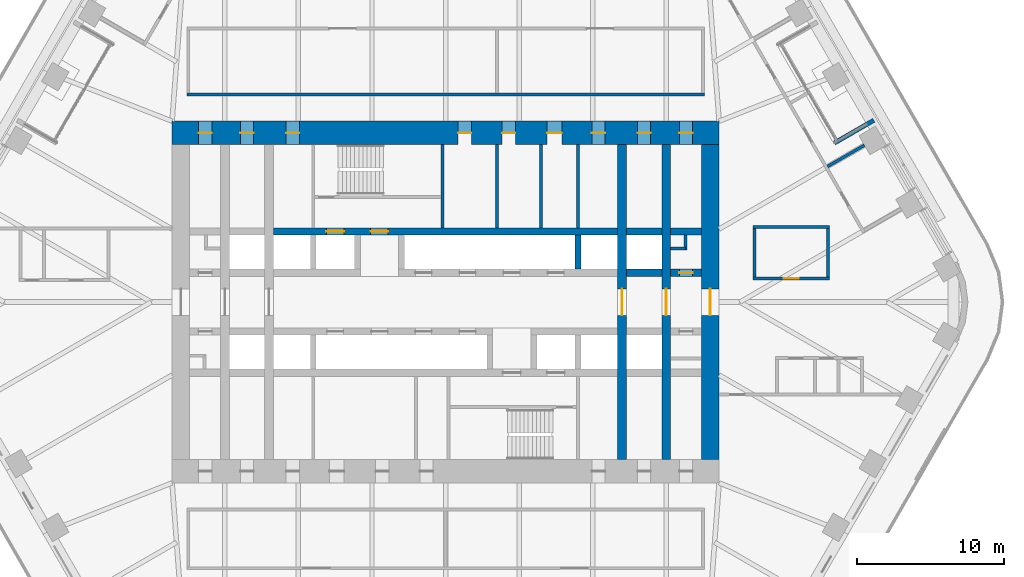
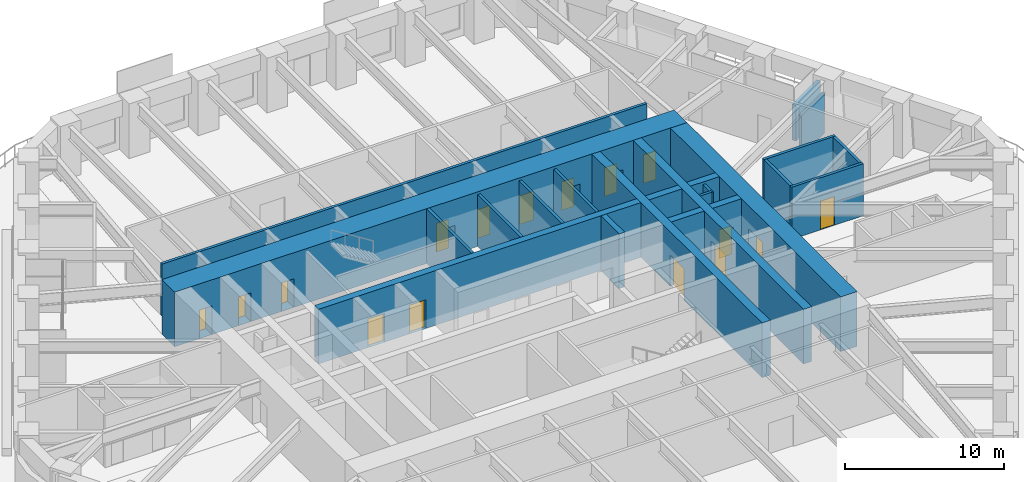
# One storey, part 20 of 24: 23 walls, 16 doors, 16 openings.
"""IFC4 building model written with IfcOpenShell, lengths in metres."""

import ifcopenshell
import ifcopenshell.guid

model = None  # the IFC model being written
_history = None  # IfcOwnerHistory: only IFC2X3 demands one
_inside = {}  # id of a spatial element -> (the spatial element, [elements in it])
_under = {}  # id of a project, library or spatial element -> (it, [spatial elements below it])
_declared = {}  # id of a project -> (the project, [libraries it declares])
_typed = {}  # id of a type object -> (the type object, [elements of that type])
_made_of = {}  # id of a material, layer set ... -> (it, [elements and type objects made of it])


def new_model(schema):
    """Start an empty IFC model of exactly this schema.

    Asked for "IFC4X3", IfcOpenShell would pick the latest addendum, in which some entities
    have other attributes; the version numbers below select the first issue.
    IFC2X3 requires an IfcOwnerHistory on every rooted entity: one is made here for all.
    """
    global model, _history
    if schema == "IFC4X3":
        model = ifcopenshell.file(schema_version=(4, 3, 0, 0))
    else:
        model = ifcopenshell.file(schema=schema)
    _inside.clear()
    _under.clear()
    _declared.clear()
    _typed.clear()
    _made_of.clear()
    _history = None
    if model.schema == "IFC2X3":
        org = make("IfcOrganization", Name="unknown")
        user = make(
            "IfcPersonAndOrganization",
            ThePerson=make("IfcPerson", FamilyName="unknown"),
            TheOrganization=org,
        )
        app = make(
            "IfcApplication",
            ApplicationDeveloper=org,
            Version="unknown",
            ApplicationFullName="unknown",
            ApplicationIdentifier="unknown",
        )
        _history = make(
            "IfcOwnerHistory",
            OwningUser=user,
            OwningApplication=app,
            ChangeAction="ADDED",
            CreationDate=0,
        )
    return model


def make(cls, **values):
    """One entity of the class cls with the attributes given. An attribute that is None is left unset."""
    return model.create_entity(
        cls, **{name: value for name, value in values.items() if value is not None}
    )


def rooted(cls, **values):
    """An entity with a GlobalId (a new one), such as an element, a storey or a relation."""
    return make(cls, GlobalId=ifcopenshell.guid.new(), OwnerHistory=_history, **values)


def si_unit(unit_type, name, prefix=None):
    """IfcSIUnit, for example si_unit("LENGTHUNIT", "METRE", prefix="MILLI")."""
    return make("IfcSIUnit", UnitType=unit_type, Prefix=prefix, Name=name)


def assignment(units):
    """IfcUnitAssignment: the units of a project."""
    return None if units is None else make("IfcUnitAssignment", Units=units)


def point(xyz):
    """IfcCartesianPoint."""
    return None if xyz is None else make("IfcCartesianPoint", Coordinates=xyz)


def direction(xyz):
    """IfcDirection."""
    return None if xyz is None else make("IfcDirection", DirectionRatios=xyz)


def frame(location, z_axis=None, x_axis=None):
    """IfcAxis2Placement3D, a coordinate frame: its origin and axes. An axis left out is left unset."""
    return make(
        "IfcAxis2Placement3D",
        Location=point(location),
        Axis=direction(z_axis),
        RefDirection=direction(x_axis),
    )


def frame_2d(location, x_axis=None):
    """IfcAxis2Placement2D, a coordinate frame in the plane: its origin and x axis."""
    return make(
        "IfcAxis2Placement2D", Location=point(location), RefDirection=direction(x_axis)
    )


def origin():
    """The frame at (0, 0, 0) with its axes left unset."""
    return frame((0.0, 0.0, 0.0))


def place(relative_to, where):
    """IfcLocalPlacement: puts the frame where relative to a parent placement (None: the world)."""
    return make(
        "IfcLocalPlacement", PlacementRelTo=relative_to, RelativePlacement=where
    )


def context(
    kind, dimensions, precision=None, world=None, true_north=None, identifier=None
):
    """IfcGeometricRepresentationContext, for example the 3D "Model" context."""
    return make(
        "IfcGeometricRepresentationContext",
        ContextIdentifier=identifier,
        ContextType=kind,
        CoordinateSpaceDimension=dimensions,
        Precision=precision,
        WorldCoordinateSystem=world,
        TrueNorth=true_north,
    )


def subcontext(parent, identifier, kind, view, scale=None):
    """IfcGeometricRepresentationSubContext, for example "Body" below "Model"."""
    return make(
        "IfcGeometricRepresentationSubContext",
        ContextIdentifier=identifier,
        ContextType=kind,
        ParentContext=parent,
        TargetScale=scale,
        TargetView=view,
    )


def project(units=None, contexts=None):
    """IfcProject with its units and contexts."""
    return rooted(
        "IfcProject",
        Name="project",
        RepresentationContexts=contexts,
        UnitsInContext=assignment(units),
    )


def spatial(cls, under=None, at=None, **own):
    """A site, building, storey or space (cls), placed at a placement, below another one or the project."""
    s = rooted(cls, ObjectPlacement=at, **own)
    if under is not None:
        _under.setdefault(under.id(), (under, []))[1].append(s)
    return s


def profile(cls, at=None, kind="AREA", **sizes):
    """A parametric profile (cls). Its sizes go by their IFC names, for example OverallWidth=200.0."""
    return make(cls, ProfileType=kind, Position=at, **sizes)


def rectangle(**sizes):
    """IfcRectangleProfileDef."""
    return profile("IfcRectangleProfileDef", **sizes)


def extrude(swept, where, along, depth):
    """IfcExtrudedAreaSolid: the profile swept, set in the frame where, extruded along a direction by depth."""
    return make(
        "IfcExtrudedAreaSolid",
        SweptArea=swept,
        Position=where,
        ExtrudedDirection=direction(along),
        Depth=depth,
    )


def shape(context_of_items, identifier, shape_type, items):
    """IfcShapeRepresentation: the items that make up one representation, for example the "Body"."""
    return make(
        "IfcShapeRepresentation",
        ContextOfItems=context_of_items,
        RepresentationIdentifier=identifier,
        RepresentationType=shape_type,
        Items=items,
    )


def material(Name=None, Category=None):
    """IfcMaterial."""
    return make("IfcMaterial", Name=Name, Category=Category)


def layer(
    of_material, thickness, ventilated=None, Name=None, Category=None, Priority=None
):
    """IfcMaterialLayer: one layer of a wall or slab, of a material (None: an air gap)."""
    return make(
        "IfcMaterialLayer",
        Material=of_material,
        LayerThickness=thickness,
        IsVentilated=ventilated,
        Name=Name,
        Category=Category,
        Priority=Priority,
    )


def layer_set(layers, Name=None):
    """IfcMaterialLayerSet."""
    return make("IfcMaterialLayerSet", MaterialLayers=layers, LayerSetName=Name)


def made_of(thing, what):
    """Note that an element or type object is made of a material, layer set ...; save() writes the relation."""
    if what is not None:
        _made_of.setdefault(what.id(), (what, []))[1].append(thing)
    return thing


def type_object(cls, material=None, **own):
    """A type object (cls), such as IfcWallType, which elements share."""
    return made_of(rooted(cls, **own), material)


def element(
    cls,
    number,
    at=None,
    inside=None,
    cuts=None,
    type_object=None,
    material=None,
    context=None,
    identifier="Body",
    shape_type=None,
    held_by="IfcProductDefinitionShape",
    body=None,
    shapes=None,
    **own,
):
    """One element of the class cls, such as IfcWall. Its Tag is "e" and its number.

    at: its placement. inside: the storey or other place that contains it. cuts: it is an
    opening in that element (IfcRelVoidsElement). A single representation is given by context,
    identifier, shape_type and body (its items); several are given by shapes. held_by: the class
    of the entity that holds the representations. save() writes the other relations.
    """
    e = rooted(cls, Tag="e%d" % number, ObjectPlacement=at, **own)
    if body is not None:
        shapes = [shape(context, identifier, shape_type, body)]
    if shapes is not None:
        e.Representation = make(held_by, Representations=shapes)
    if inside is not None:
        _inside.setdefault(inside.id(), (inside, []))[1].append(e)
    if cuts is not None:
        rooted(
            "IfcRelVoidsElement", RelatingBuildingElement=cuts, RelatedOpeningElement=e
        )
    if type_object is not None:
        _typed.setdefault(type_object.id(), (type_object, []))[1].append(e)
    return made_of(e, material)


def fill(opening, filler):
    """IfcRelFillsElement: the door or window that sits in an opening."""
    return rooted(
        "IfcRelFillsElement",
        RelatingOpeningElement=opening,
        RelatedBuildingElement=filler,
    )


def aggregate(whole, parts):
    """IfcRelAggregates: a whole, such as a stair, and the parts it consists of."""
    return rooted("IfcRelAggregates", RelatingObject=whole, RelatedObjects=parts)


def save(model, path):
    """Write the relations noted so far, then the file.

    IfcRelAggregates (storeys below a building ...), IfcRelContainedInSpatialStructure (elements
    in a storey), IfcRelDefinesByType, IfcRelAssociatesMaterial and IfcRelDeclares: one each for
    every whole, place, type object, material and project.
    """
    for whole, parts in _under.values():
        aggregate(whole, parts)
    for where, things in _inside.values():
        rooted(
            "IfcRelContainedInSpatialStructure",
            RelatedElements=things,
            RelatingStructure=where,
        )
    for kind, things in _typed.values():
        rooted("IfcRelDefinesByType", RelatedObjects=things, RelatingType=kind)
    for what, things in _made_of.values():
        rooted("IfcRelAssociatesMaterial", RelatedObjects=things, RelatingMaterial=what)
    for by, libraries in _declared.values():
        rooted("IfcRelDeclares", RelatingContext=by, RelatedDefinitions=libraries)
    model.write(path)


model = new_model("IFC4")

# Units and contexts
model_context = context("Model", 3, precision=1e-05, world=origin(), true_north=direction((0.0, 1.0)))
body_context = subcontext(model_context, "Body", "Model", "MODEL_VIEW")
ifc_project = project(units=[si_unit("LENGTHUNIT", "METRE"), si_unit("AREAUNIT", "SQUARE_METRE"), si_unit("VOLUMEUNIT", "CUBIC_METRE"), si_unit("PLANEANGLEUNIT", "RADIAN"), si_unit("MASSUNIT", "GRAM", prefix="KILO")], contexts=[model_context])

# Site, building, storey
site_placement = place(None, origin())
site = spatial("IfcSite", under=ifc_project, at=site_placement, CompositionType="ELEMENT")
building_placement = place(site_placement, origin())
building = spatial("IfcBuilding", under=site, at=building_placement, Name="Tarfa Lantern Tower", CompositionType="ELEMENT")
storey_placement = place(building_placement, frame((0.0, 0.0, 195.10009765625)))
storey = spatial("IfcBuildingStorey", under=building, at=storey_placement, Name="L44", CompositionType="ELEMENT", Elevation=195.10009765625)

# Walls
ifc_material_1 = material(Name="Limestone cladding on blockwork", Category="masonry")
ifc_layer_1 = layer(ifc_material_1, 0.300048828125)
ifc_layer_set_1 = layer_set([ifc_layer_1], Name="EW1 STONE-CLAD WALL 300")
wall_type_1 = type_object("IfcWallType", Name="EW1 STONE-CLAD WALL 300", PredefinedType="SOLIDWALL", material=ifc_layer_set_1)
wall_1_placement = place(storey_placement, frame((29.1201171875, 12.362548828125, 0.0), z_axis=(0.0, 0.0, 1.0), x_axis=(-0.86602952684, -0.49999285859, 0.0)))
element("IfcWall", 1, at=wall_1_placement, inside=storey, type_object=wall_type_1, Name="Loggia return NE 1", PredefinedType="SOLIDWALL", context=body_context, shape_type="SweptSolid", body=[
    extrude(rectangle(XDim=3.10009765625, YDim=0.300048828125, at=frame_2d((1.550048828125, 0.0))), origin(), (0.0, 0.0, 1.0), 2.75),
])
ifc_material_2 = material(Name="Concrete blockwork", Category="masonry")
ifc_layer_2 = layer(ifc_material_2, 0.199951171875)
ifc_layer_set_2 = layer_set([ifc_layer_2], Name="IW1 BLOCKWORK PARTITION 200 EI 120")
wall_type_2 = type_object("IfcWallType", Name="IW1 BLOCKWORK PARTITION 200 EI 120", PredefinedType="PARTITIONING", material=ifc_layer_set_2)
for number, where, z_axis, x_axis, name in (
    (2, (9.0, 5.050048828125, 0.0), (0.0, 0.0, 1.0), (0.0, 1.0, 0.0), "Core partition"),
    (3, (3.5, 5.050048828125, 0.0), (0.0, 0.0, 1.0), (0.0, 1.0, 0.0), "Core partition"),
    (4, (6.5, 5.050048828125, 0.0), (0.0, 0.0, 1.0), (0.0, 1.0, 0.0), "Core partition"),
):
    element("IfcWall", number, at=place(storey_placement, frame(where, z_axis=z_axis, x_axis=x_axis)), inside=storey, type_object=wall_type_2, Name=name, PredefinedType="PARTITIONING", context=body_context, shape_type="SweptSolid", body=[
        extrude(rectangle(XDim=5.64990234375, YDim=0.199951171875, at=frame_2d((2.824951171875, 0.0))), origin(), (0.0, 0.0, 1.0), 4.0),
    ])
for number, where, z_axis, x_axis, name in (
    (5, (15.300048828125, 3.64990234375, 0.0), (0.0, 0.0, 1.0), (1.0, 0.0, 0.0), "Core partition"),
    (6, (16.300048828125, 3.550048828125, 0.0), (0.0, 0.0, 1.0), (0.0, 1.0, 0.0), "Core partition"),
):
    element("IfcWall", number, at=place(storey_placement, frame(where, z_axis=z_axis, x_axis=x_axis)), inside=storey, type_object=wall_type_2, Name=name, PredefinedType="PARTITIONING", context=body_context, shape_type="SweptSolid", body=[
        extrude(rectangle(XDim=1.0, YDim=0.199951171875, at=frame_2d((0.5, 0.0))), origin(), (0.0, 0.0, 1.0), 4.0),
    ])
ifc_material_3 = material(Name="Gypsum board on steel studs", Category="steel")
ifc_layer_3 = layer(ifc_material_3, 0.2099609375)
ifc_layer_set_3 = layer_set([ifc_layer_3], Name="IW2 ACOUSTIC PARTITION 200")
wall_type_3 = type_object("IfcWallType", Name="IW2 ACOUSTIC PARTITION 200", PredefinedType="PARTITIONING", material=ifc_layer_set_3)
wall_2_placement = place(storey_placement, frame((-17.60009765625, 14.10009765625, 0.0), z_axis=(0.0, 0.0, 1.0), x_axis=(1.0, 0.0, 0.0)))
element("IfcWall", 7, at=wall_2_placement, inside=storey, type_object=wall_type_3, Name="Partition", PredefinedType="PARTITIONING", context=body_context, shape_type="SweptSolid", body=[
    extrude(rectangle(XDim=35.2001953125, YDim=0.199951171875, at=frame_2d((17.60009765625, 0.0))), origin(), (0.0, 0.0, 1.0), 4.0),
])
wall_3_placement = place(storey_placement, frame((25.97119140625, 9.216552734375, 0.0), z_axis=(0.0, 0.0, 1.0), x_axis=(0.865996321171, 0.50005036918, 0.0)))
element("IfcWall", 8, at=wall_3_placement, inside=storey, type_object=wall_type_3, Name="Partition", PredefinedType="PARTITIONING", context=body_context, shape_type="SweptSolid", body=[
    extrude(rectangle(XDim=2.900146484375, YDim=0.199951171875, at=frame_2d((1.4501953125, 0.0))), origin(), (0.0, 0.0, 1.0), 3.08154296875),
])

# Wall, opening, door
wall_4_placement = place(storey_placement, frame((20.89990234375, 1.60009765625, 0.0), z_axis=(0.0, 0.0, 1.0), x_axis=(1.0, 0.0, 0.0)))
wall_4 = element("IfcWall", 9, at=wall_4_placement, inside=storey, type_object=wall_type_3, Name="Partition", PredefinedType="PARTITIONING", context=body_context, shape_type="SweptSolid", body=[
    extrude(rectangle(XDim=5.2001953125, YDim=0.199951171875, at=frame_2d((2.60009765625, 0.0))), origin(), (0.0, 0.0, 1.0), 4.0),
])
opening_1_placement = place(wall_4_placement, frame((2.10009765625, 0.0, 0.0)))
opening_1 = element("IfcOpeningElement", 10, at=opening_1_placement, cuts=wall_4, Name="Opening D33", PredefinedType="OPENING", context=body_context, shape_type="SweptSolid", body=[
    extrude(rectangle(XDim=1.0, YDim=2.199951171875, at=frame_2d((0.5, 1.10009765625))), frame((0.0, 0.10986328125, 0.0), z_axis=(0.0, -1.0, 0.0), x_axis=(1.0, 0.0, 0.0)), (0.0, 0.0, 1.0), 0.219970703125),
])
ifc_material_4 = material(Name="Timber door", Category="wood")
door_type_1 = type_object("IfcDoorType", Name="DR1 ROOM DOOR 1000x2200", OperationType="SINGLE_SWING_LEFT", PredefinedType="DOOR", material=ifc_material_4)
door_1_placement = place(opening_1_placement, origin())
door_1 = element("IfcDoor", 11, at=door_1_placement, inside=storey, type_object=door_type_1, Name="Project room door", OperationType="SINGLE_SWING_RIGHT", OverallHeight=2.199951171875, OverallWidth=1.0, PredefinedType="DOOR", context=body_context, shape_type="SweptSolid", body=[
    extrude(rectangle(XDim=1.0, YDim=2.199951171875, at=frame_2d((0.5, 1.10009765625))), frame((0.0, 0.02490234375, 0.0), z_axis=(0.0, -1.0, 0.0), x_axis=(1.0, 0.0, 0.0)), (0.0, 0.0, 1.0), 0.050048828125),
])
fill(opening_1, door_1)

# Walls
wall_5_placement = place(storey_placement, frame((20.89990234375, 5.10009765625, 0.0), z_axis=(0.0, 0.0, 1.0), x_axis=(1.0, 0.0, 0.0)))
element("IfcWall", 12, at=wall_5_placement, inside=storey, type_object=wall_type_3, Name="Partition", PredefinedType="PARTITIONING", context=body_context, shape_type="SweptSolid", body=[
    extrude(rectangle(XDim=5.2001953125, YDim=0.199951171875, at=frame_2d((2.60009765625, 0.0))), origin(), (0.0, 0.0, 1.0), 4.0),
])
for number, where, z_axis, x_axis, name in (
    (13, (21.0, 1.699951171875, 0.0), (0.0, 0.0, 1.0), (0.0, 1.0, 0.0), "Partition"),
    (14, (26.0, 1.699951171875, 0.0), (0.0, 0.0, 1.0), (0.0, 1.0, 0.0), "Partition"),
):
    element("IfcWall", number, at=place(storey_placement, frame(where, z_axis=z_axis, x_axis=x_axis)), inside=storey, type_object=wall_type_3, Name=name, PredefinedType="PARTITIONING", context=body_context, shape_type="SweptSolid", body=[
        extrude(rectangle(XDim=3.300048828125, YDim=0.199951171875, at=frame_2d((1.64990234375, 0.0))), origin(), (0.0, 0.0, 1.0), 4.0),
    ])

# Wall, opening, door
ifc_material_5 = material(Name="Concrete C80/95", Category="concrete")
ifc_layer_4 = layer(ifc_material_5, 1.199951171875)
ifc_layer_set_4 = layer_set([ifc_layer_4], Name="SW1 CORE WALL 1200")
wall_type_4 = type_object("IfcWallType", Name="SW1 CORE WALL 1200", PredefinedType="SHEAR", material=ifc_layer_set_4)
wall_6_placement = place(storey_placement, frame((18.0, -10.699951171875, 0.0), z_axis=(0.0, 0.0, 1.0), x_axis=(0.0, 1.0, 0.0)))
wall_6 = element("IfcWall", 15, at=wall_6_placement, inside=storey, type_object=wall_type_4, Name="Core wall E", PredefinedType="SHEAR", context=body_context, shape_type="SweptSolid", body=[
    extrude(rectangle(XDim=21.39990234375, YDim=1.199951171875, at=frame_2d((10.699951171875, 0.0))), origin(), (0.0, 0.0, 1.0), 4.199951171875),
])
opening_2_placement = place(wall_6_placement, frame((9.800048828125, 0.0, 0.0)))
opening_2 = element("IfcOpeningElement", 16, at=opening_2_placement, cuts=wall_6, Name="Opening D15", PredefinedType="OPENING", context=body_context, shape_type="SweptSolid", body=[
    extrude(rectangle(XDim=1.800048828125, YDim=2.39990234375, at=frame_2d((0.89990234375, 1.199951171875))), frame((0.0, 0.60986328125, 0.0), z_axis=(0.0, -1.0, 0.0), x_axis=(1.0, 0.0, 0.0)), (0.0, 0.0, 1.0), 1.219970703125),
])
ifc_material_6 = material(Name="Steel fire door", Category="steel")
door_type_2 = type_object("IfcDoorType", Name="DL1 LOBBY DOOR 1800x2400", OperationType="DOUBLE_DOOR_SINGLE_SWING", PredefinedType="DOOR", material=ifc_material_6)
door_2_placement = place(opening_2_placement, frame((1.800048828125, 0.0, 0.0), z_axis=(0.0, 0.0, 1.0), x_axis=(-1.0, 0.0, 0.0)))
door_2 = element("IfcDoor", 17, at=door_2_placement, inside=storey, type_object=door_type_2, Name="Lift lobby door", OperationType="DOUBLE_DOOR_SINGLE_SWING", OverallHeight=2.39990234375, OverallWidth=1.800048828125, PredefinedType="DOOR", context=body_context, shape_type="SweptSolid", body=[
    extrude(rectangle(XDim=1.800048828125, YDim=2.39990234375, at=frame_2d((0.89990234375, 1.199951171875))), frame((0.0, 0.02490234375, 0.0), z_axis=(0.0, -1.0, 0.0), x_axis=(1.0, 0.0, 0.0)), (0.0, 0.0, 1.0), 0.050048828125),
])
fill(opening_2, door_2)

# Walls
ifc_layer_5 = layer(ifc_material_5, 0.199951171875)
ifc_layer_set_5 = layer_set([ifc_layer_5], Name="SW12 CORE WALL 200")
wall_type_5 = type_object("IfcWallType", Name="SW12 CORE WALL 200", PredefinedType="SHEAR", material=ifc_layer_set_5)
wall_7_placement = place(storey_placement, frame((-0.199951171875, 5.050048828125, 0.0), z_axis=(0.0, 0.0, 1.0), x_axis=(0.0, 1.0, 0.0)))
element("IfcWall", 18, at=wall_7_placement, inside=storey, type_object=wall_type_5, Name="Core wall stair shaft N", PredefinedType="SHEAR", context=body_context, shape_type="SweptSolid", body=[
    extrude(rectangle(XDim=5.64990234375, YDim=0.199951171875, at=frame_2d((2.824951171875, 0.0))), origin(), (0.0, 0.0, 1.0), 4.199951171875),
])
ifc_layer_6 = layer(ifc_material_5, 0.5)
ifc_layer_set_6 = layer_set([ifc_layer_6], Name="SW5 CORE WALL 500")
wall_type_6 = type_object("IfcWallType", Name="SW5 CORE WALL 500", PredefinedType="SHEAR", material=ifc_layer_set_6)
wall_8_placement = place(storey_placement, frame((12.300048828125, 2.0, 0.0), z_axis=(0.0, 0.0, 1.0), x_axis=(1.0, 0.0, 0.0)))
element("IfcWall", 19, at=wall_8_placement, inside=storey, type_object=wall_type_6, Name="Core wall lobby east N", PredefinedType="SHEAR", context=body_context, shape_type="SweptSolid", body=[
    extrude(rectangle(XDim=2.39990234375, YDim=0.5, at=frame_2d((1.199951171875, 0.0))), origin(), (0.0, 0.0, 1.0), 4.199951171875),
])

# Wall, opening, door
wall_9_placement = place(storey_placement, frame((15.300048828125, 2.0, 0.0), z_axis=(0.0, 0.0, 1.0), x_axis=(1.0, 0.0, 0.0)))
wall_9 = element("IfcWall", 20, at=wall_9_placement, inside=storey, type_object=wall_type_6, Name="Core wall lobby east N", PredefinedType="SHEAR", context=body_context, shape_type="SweptSolid", body=[
    extrude(rectangle(XDim=2.099853515625, YDim=0.5, at=frame_2d((1.0498046875, 0.0))), origin(), (0.0, 0.0, 1.0), 4.199951171875),
])
opening_3_placement = place(wall_9_placement, frame((0.60009765625, 0.0, 0.0)))
opening_3 = element("IfcOpeningElement", 21, at=opening_3_placement, cuts=wall_9, Name="Opening D17", PredefinedType="OPENING", context=body_context, shape_type="SweptSolid", body=[
    extrude(rectangle(XDim=0.89990234375, YDim=2.199951171875, at=frame_2d((0.449951171875, 1.10009765625))), frame((0.0, 0.260009765625, 0.0), z_axis=(0.0, -1.0, 0.0), x_axis=(1.0, 0.0, 0.0)), (0.0, 0.0, 1.0), 0.52001953125),
])
door_type_3 = type_object("IfcDoorType", Name="DF6 SERVICE ROOM DOOR 900x2200", OperationType="SINGLE_SWING_LEFT", PredefinedType="DOOR", material=ifc_material_6)
door_3_placement = place(opening_3_placement, origin())
door_3 = element("IfcDoor", 22, at=door_3_placement, inside=storey, type_object=door_type_3, Name="Service room door", OperationType="SINGLE_SWING_LEFT", OverallHeight=2.199951171875, OverallWidth=0.89990234375, PredefinedType="DOOR", context=body_context, shape_type="SweptSolid", body=[
    extrude(rectangle(XDim=0.89990234375, YDim=2.199951171875, at=frame_2d((0.449951171875, 1.10009765625))), frame((0.0, 0.02490234375, 0.0), z_axis=(0.0, -1.0, 0.0), x_axis=(1.0, 0.0, 0.0)), (0.0, 0.0, 1.0), 0.050048828125),
])
fill(opening_3, door_3)

# Wall, openings, doors
wall_10_placement = place(storey_placement, frame((-11.699951171875, 4.800048828125, 0.0), z_axis=(0.0, 0.0, 1.0), x_axis=(1.0, 0.0, 0.0)))
wall_10 = element("IfcWall", 23, at=wall_10_placement, inside=storey, type_object=wall_type_6, Name="Core wall rear N", PredefinedType="SHEAR", context=body_context, shape_type="SweptSolid", body=[
    extrude(rectangle(XDim=23.39990234375, YDim=0.5, at=frame_2d((11.699951171875, 0.0))), origin(), (0.0, 0.0, 1.0), 4.199951171875),
])
opening_4_placement = place(wall_10_placement, frame((6.60009765625, 0.0, 0.0)))
opening_4 = element("IfcOpeningElement", 24, at=opening_4_placement, cuts=wall_10, Name="Opening D13", PredefinedType="OPENING", context=body_context, shape_type="SweptSolid", body=[
    extrude(rectangle(XDim=1.199951171875, YDim=2.199951171875, at=frame_2d((0.60009765625, 1.10009765625))), frame((0.0, 0.260009765625, 0.0), z_axis=(0.0, -1.0, 0.0), x_axis=(1.0, 0.0, 0.0)), (0.0, 0.0, 1.0), 0.52001953125),
])
opening_5_placement = place(wall_10_placement, frame((3.60009765625, 0.0, 0.0)))
opening_5 = element("IfcOpeningElement", 25, at=opening_5_placement, cuts=wall_10, Name="Opening LD01", PredefinedType="OPENING", context=body_context, shape_type="SweptSolid", body=[
    extrude(rectangle(XDim=1.199951171875, YDim=2.199951171875, at=frame_2d((0.60009765625, 1.10009765625))), frame((0.0, 0.260009765625, 0.0), z_axis=(0.0, -1.0, 0.0), x_axis=(1.0, 0.0, 0.0)), (0.0, 0.0, 1.0), 0.52001953125),
])
door_type_4 = type_object("IfcDoorType", Name="DF1 FIREFIGHTING LOBBY DOOR 1200x2200", OperationType="SINGLE_SWING_LEFT", PredefinedType="DOOR", material=ifc_material_6)
door_4_placement = place(opening_4_placement, origin())
door_4 = element("IfcDoor", 26, at=door_4_placement, inside=storey, type_object=door_type_4, Name="Firefighting lobby door", OperationType="SINGLE_SWING_LEFT", OverallHeight=2.199951171875, OverallWidth=1.199951171875, PredefinedType="DOOR", context=body_context, shape_type="SweptSolid", body=[
    extrude(rectangle(XDim=1.199951171875, YDim=2.199951171875, at=frame_2d((0.60009765625, 1.10009765625))), frame((0.0, 0.02490234375, 0.0), z_axis=(0.0, -1.0, 0.0), x_axis=(1.0, 0.0, 0.0)), (0.0, 0.0, 1.0), 0.050048828125),
])
fill(opening_4, door_4)
ifc_material_7 = material(Name="Stainless steel lift door", Category="steel")
door_type_5 = type_object("IfcDoorType", Name="LD1 LIFT LANDING DOOR 1200x2200", OperationType="SLIDING_TO_LEFT", PredefinedType="DOOR", material=ifc_material_7)
door_5_placement = place(opening_5_placement, origin())
door_5 = element("IfcDoor", 27, at=door_5_placement, inside=storey, type_object=door_type_5, Name="Landing door FL1", OperationType="SLIDING_TO_LEFT", OverallHeight=2.199951171875, OverallWidth=1.199951171875, PredefinedType="DOOR", context=body_context, shape_type="SweptSolid", body=[
    extrude(rectangle(XDim=1.199951171875, YDim=2.199951171875, at=frame_2d((0.60009765625, 1.10009765625))), frame((0.0, 0.02490234375, 0.0), z_axis=(0.0, -1.0, 0.0), x_axis=(1.0, 0.0, 0.0)), (0.0, 0.0, 1.0), 0.050048828125),
])
fill(opening_5, door_5)

# Walls
wall_11_placement = place(storey_placement, frame((12.300048828125, 4.800048828125, 0.0), z_axis=(0.0, 0.0, 1.0), x_axis=(1.0, 0.0, 0.0)))
element("IfcWall", 28, at=wall_11_placement, inside=storey, type_object=wall_type_6, Name="Core wall rear N", PredefinedType="SHEAR", context=body_context, shape_type="SweptSolid", body=[
    extrude(rectangle(XDim=2.39990234375, YDim=0.5, at=frame_2d((1.199951171875, 0.0))), origin(), (0.0, 0.0, 1.0), 4.199951171875),
])
wall_12_placement = place(storey_placement, frame((15.300048828125, 4.800048828125, 0.0), z_axis=(0.0, 0.0, 1.0), x_axis=(1.0, 0.0, 0.0)))
element("IfcWall", 29, at=wall_12_placement, inside=storey, type_object=wall_type_6, Name="Core wall rear N", PredefinedType="SHEAR", context=body_context, shape_type="SweptSolid", body=[
    extrude(rectangle(XDim=2.099853515625, YDim=0.5, at=frame_2d((1.0498046875, 0.0))), origin(), (0.0, 0.0, 1.0), 4.199951171875),
])
ifc_layer_7 = layer(ifc_material_5, 0.39990234375)
ifc_layer_set_7 = layer_set([ifc_layer_7], Name="SW6 CORE WALL 400")
wall_type_7 = type_object("IfcWallType", Name="SW6 CORE WALL 400", PredefinedType="SHEAR", material=ifc_layer_set_7)
wall_13_placement = place(storey_placement, frame((9.0, 2.25, 0.0), z_axis=(0.0, 0.0, 1.0), x_axis=(0.0, 1.0, 0.0)))
element("IfcWall", 30, at=wall_13_placement, inside=storey, type_object=wall_type_7, Name="Core wall divider N", PredefinedType="SHEAR", context=body_context, shape_type="SweptSolid", body=[
    extrude(rectangle(XDim=2.300048828125, YDim=0.39990234375, at=frame_2d((1.14990234375, 0.0))), origin(), (0.0, 0.0, 1.0), 4.199951171875),
])

# Wall, openings, doors
ifc_layer_8 = layer(ifc_material_5, 1.60009765625)
ifc_layer_set_8 = layer_set([ifc_layer_8], Name="SW7 CORE WALL 1600")
wall_type_8 = type_object("IfcWallType", Name="SW7 CORE WALL 1600", PredefinedType="SHEAR", material=ifc_layer_set_8)
wall_14_placement = place(storey_placement, frame((-18.60009765625, 11.5, 0.0), z_axis=(0.0, 0.0, 1.0), x_axis=(1.0, 0.0, 0.0)))
wall_14 = element("IfcWall", 31, at=wall_14_placement, inside=storey, type_object=wall_type_8, Name="Core wall N", PredefinedType="SHEAR", context=body_context, shape_type="SweptSolid", body=[
    extrude(rectangle(XDim=37.2001953125, YDim=1.60009765625, at=frame_2d((18.60009765625, 0.0))), origin(), (0.0, 0.0, 1.0), 4.199951171875),
])
opening_6_placement = place(wall_14_placement, frame((19.449951171875, 0.0, 0.0)))
opening_6 = element("IfcOpeningElement", 32, at=opening_6_placement, cuts=wall_14, Name="Opening D21", PredefinedType="OPENING", context=body_context, shape_type="SweptSolid", body=[
    extrude(rectangle(XDim=0.89990234375, YDim=2.199951171875, at=frame_2d((0.449951171875, 1.10009765625))), frame((0.0, 0.81005859375, 0.0), z_axis=(0.0, -1.0, 0.0), x_axis=(1.0, 0.0, 0.0)), (0.0, 0.0, 1.0), 1.6201171875),
])
opening_7_placement = place(wall_14_placement, frame((22.449951171875, 0.0, 0.0)))
opening_7 = element("IfcOpeningElement", 33, at=opening_7_placement, cuts=wall_14, Name="Opening D23", PredefinedType="OPENING", context=body_context, shape_type="SweptSolid", body=[
    extrude(rectangle(XDim=0.89990234375, YDim=2.199951171875, at=frame_2d((0.449951171875, 1.10009765625))), frame((0.0, 0.81005859375, 0.0), z_axis=(0.0, -1.0, 0.0), x_axis=(1.0, 0.0, 0.0)), (0.0, 0.0, 1.0), 1.6201171875),
])
opening_8_placement = place(wall_14_placement, frame((25.5, 0.0, 0.0)))
opening_8 = element("IfcOpeningElement", 34, at=opening_8_placement, cuts=wall_14, Name="Opening D25", PredefinedType="OPENING", context=body_context, shape_type="SweptSolid", body=[
    extrude(rectangle(XDim=1.0, YDim=2.199951171875, at=frame_2d((0.5, 1.10009765625))), frame((0.0, 0.81005859375, 0.0), z_axis=(0.0, -1.0, 0.0), x_axis=(1.0, 0.0, 0.0)), (0.0, 0.0, 1.0), 1.6201171875),
])
opening_9_placement = place(wall_14_placement, frame((1.800048828125, 0.0, 0.0)))
opening_9 = element("IfcOpeningElement", 35, at=opening_9_placement, cuts=wall_14, Name="Opening D11", PredefinedType="OPENING", context=body_context, shape_type="SweptSolid", body=[
    extrude(rectangle(XDim=0.89990234375, YDim=2.199951171875, at=frame_2d((0.449951171875, 1.10009765625))), frame((0.0, 0.81005859375, 0.0), z_axis=(0.0, -1.0, 0.0), x_axis=(1.0, 0.0, 0.0)), (0.0, 0.0, 1.0), 1.6201171875),
])
opening_10_placement = place(wall_14_placement, frame((4.64990234375, 0.0, 0.0)))
opening_10 = element("IfcOpeningElement", 36, at=opening_10_placement, cuts=wall_14, Name="Opening D07", PredefinedType="OPENING", context=body_context, shape_type="SweptSolid", body=[
    extrude(rectangle(XDim=0.89990234375, YDim=2.199951171875, at=frame_2d((0.449951171875, 1.10009765625))), frame((0.0, 0.81005859375, 0.0), z_axis=(0.0, -1.0, 0.0), x_axis=(1.0, 0.0, 0.0)), (0.0, 0.0, 1.0), 1.6201171875),
])
opening_11_placement = place(wall_14_placement, frame((7.75, 0.0, 0.0)))
opening_11 = element("IfcOpeningElement", 37, at=opening_11_placement, cuts=wall_14, Name="Opening D09", PredefinedType="OPENING", context=body_context, shape_type="SweptSolid", body=[
    extrude(rectangle(XDim=0.89990234375, YDim=2.199951171875, at=frame_2d((0.449951171875, 1.10009765625))), frame((0.0, 0.81005859375, 0.0), z_axis=(0.0, -1.0, 0.0), x_axis=(1.0, 0.0, 0.0)), (0.0, 0.0, 1.0), 1.6201171875),
])
opening_12_placement = place(wall_14_placement, frame((28.550048828125, 0.0, 0.0)))
opening_12 = element("IfcOpeningElement", 38, at=opening_12_placement, cuts=wall_14, Name="Opening D05", PredefinedType="OPENING", context=body_context, shape_type="SweptSolid", body=[
    extrude(rectangle(XDim=0.89990234375, YDim=2.199951171875, at=frame_2d((0.449951171875, 1.10009765625))), frame((0.0, 0.81005859375, 0.0), z_axis=(0.0, -1.0, 0.0), x_axis=(1.0, 0.0, 0.0)), (0.0, 0.0, 1.0), 1.6201171875),
])
opening_13_placement = place(wall_14_placement, frame((31.64990234375, 0.0, 0.0)))
opening_13 = element("IfcOpeningElement", 39, at=opening_13_placement, cuts=wall_14, Name="Opening D01", PredefinedType="OPENING", context=body_context, shape_type="SweptSolid", body=[
    extrude(rectangle(XDim=0.89990234375, YDim=2.199951171875, at=frame_2d((0.449951171875, 1.10009765625))), frame((0.0, 0.81005859375, 0.0), z_axis=(0.0, -1.0, 0.0), x_axis=(1.0, 0.0, 0.0)), (0.0, 0.0, 1.0), 1.6201171875),
])
opening_14_placement = place(wall_14_placement, frame((34.5, 0.0, 0.0)))
opening_14 = element("IfcOpeningElement", 40, at=opening_14_placement, cuts=wall_14, Name="Opening D03", PredefinedType="OPENING", context=body_context, shape_type="SweptSolid", body=[
    extrude(rectangle(XDim=0.89990234375, YDim=2.199951171875, at=frame_2d((0.449951171875, 1.10009765625))), frame((0.0, 0.81005859375, 0.0), z_axis=(0.0, -1.0, 0.0), x_axis=(1.0, 0.0, 0.0)), (0.0, 0.0, 1.0), 1.6201171875),
])
door_type_6 = type_object("IfcDoorType", Name="DF3 CORE ROOM DOOR 900x2200", OperationType="SINGLE_SWING_LEFT", PredefinedType="DOOR", material=ifc_material_6)
door_6_placement = place(opening_6_placement, frame((0.89990234375, 0.0, 0.0), z_axis=(0.0, 0.0, 1.0), x_axis=(-1.0, 0.0, 0.0)))
door_6 = element("IfcDoor", 41, at=door_6_placement, inside=storey, type_object=door_type_6, Name="Core door", OperationType="SINGLE_SWING_LEFT", OverallHeight=2.199951171875, OverallWidth=0.89990234375, PredefinedType="DOOR", context=body_context, shape_type="SweptSolid", body=[
    extrude(rectangle(XDim=0.89990234375, YDim=2.199951171875, at=frame_2d((0.449951171875, 1.10009765625))), frame((0.0, 0.02490234375, 0.0), z_axis=(0.0, -1.0, 0.0), x_axis=(1.0, 0.0, 0.0)), (0.0, 0.0, 1.0), 0.050048828125),
])
fill(opening_6, door_6)
door_7_placement = place(opening_7_placement, frame((0.89990234375, 0.0, 0.0), z_axis=(0.0, 0.0, 1.0), x_axis=(-1.0, 0.0, 0.0)))
door_7 = element("IfcDoor", 42, at=door_7_placement, inside=storey, type_object=door_type_6, Name="Core door", OperationType="SINGLE_SWING_LEFT", OverallHeight=2.199951171875, OverallWidth=0.89990234375, PredefinedType="DOOR", context=body_context, shape_type="SweptSolid", body=[
    extrude(rectangle(XDim=0.89990234375, YDim=2.199951171875, at=frame_2d((0.449951171875, 1.10009765625))), frame((0.0, 0.02490234375, 0.0), z_axis=(0.0, -1.0, 0.0), x_axis=(1.0, 0.0, 0.0)), (0.0, 0.0, 1.0), 0.050048828125),
])
fill(opening_7, door_7)
door_type_7 = type_object("IfcDoorType", Name="DF4 CORE ROOM DOOR 1000x2200", OperationType="SINGLE_SWING_LEFT", PredefinedType="DOOR", material=ifc_material_6)
door_8_placement = place(opening_8_placement, frame((1.0, 0.0, 0.0), z_axis=(0.0, 0.0, 1.0), x_axis=(-1.0, 0.0, 0.0)))
door_8 = element("IfcDoor", 43, at=door_8_placement, inside=storey, type_object=door_type_7, Name="Core door", OperationType="SINGLE_SWING_LEFT", OverallHeight=2.199951171875, OverallWidth=1.0, PredefinedType="DOOR", context=body_context, shape_type="SweptSolid", body=[
    extrude(rectangle(XDim=1.0, YDim=2.199951171875, at=frame_2d((0.5, 1.10009765625))), frame((0.0, 0.02490234375, 0.0), z_axis=(0.0, -1.0, 0.0), x_axis=(1.0, 0.0, 0.0)), (0.0, 0.0, 1.0), 0.050048828125),
])
fill(opening_8, door_8)
door_type_8 = type_object("IfcDoorType", Name="DF5 RISER DOOR 900x2200", OperationType="SINGLE_SWING_LEFT", PredefinedType="DOOR", material=ifc_material_6)
door_9_placement = place(opening_9_placement, frame((0.89990234375, 0.0, 0.0), z_axis=(0.0, 0.0, 1.0), x_axis=(-1.0, 0.0, 0.0)))
door_9 = element("IfcDoor", 44, at=door_9_placement, inside=storey, type_object=door_type_8, Name="Riser door", OperationType="SINGLE_SWING_LEFT", OverallHeight=2.199951171875, OverallWidth=0.89990234375, PredefinedType="DOOR", context=body_context, shape_type="SweptSolid", body=[
    extrude(rectangle(XDim=0.89990234375, YDim=2.199951171875, at=frame_2d((0.449951171875, 1.10009765625))), frame((0.0, 0.02490234375, 0.0), z_axis=(0.0, -1.0, 0.0), x_axis=(1.0, 0.0, 0.0)), (0.0, 0.0, 1.0), 0.050048828125),
])
fill(opening_9, door_9)
door_10_placement = place(opening_10_placement, frame((0.89990234375, 0.0, 0.0), z_axis=(0.0, 0.0, 1.0), x_axis=(-1.0, 0.0, 0.0)))
door_10 = element("IfcDoor", 45, at=door_10_placement, inside=storey, type_object=door_type_8, Name="Riser door", OperationType="SINGLE_SWING_LEFT", OverallHeight=2.199951171875, OverallWidth=0.89990234375, PredefinedType="DOOR", context=body_context, shape_type="SweptSolid", body=[
    extrude(rectangle(XDim=0.89990234375, YDim=2.199951171875, at=frame_2d((0.449951171875, 1.10009765625))), frame((0.0, 0.02490234375, 0.0), z_axis=(0.0, -1.0, 0.0), x_axis=(1.0, 0.0, 0.0)), (0.0, 0.0, 1.0), 0.050048828125),
])
fill(opening_10, door_10)
door_11_placement = place(opening_11_placement, frame((0.89990234375, 0.0, 0.0), z_axis=(0.0, 0.0, 1.0), x_axis=(-1.0, 0.0, 0.0)))
door_11 = element("IfcDoor", 46, at=door_11_placement, inside=storey, type_object=door_type_8, Name="Riser door", OperationType="SINGLE_SWING_LEFT", OverallHeight=2.199951171875, OverallWidth=0.89990234375, PredefinedType="DOOR", context=body_context, shape_type="SweptSolid", body=[
    extrude(rectangle(XDim=0.89990234375, YDim=2.199951171875, at=frame_2d((0.449951171875, 1.10009765625))), frame((0.0, 0.02490234375, 0.0), z_axis=(0.0, -1.0, 0.0), x_axis=(1.0, 0.0, 0.0)), (0.0, 0.0, 1.0), 0.050048828125),
])
fill(opening_11, door_11)
door_12_placement = place(opening_12_placement, frame((0.89990234375, 0.0, 0.0), z_axis=(0.0, 0.0, 1.0), x_axis=(-1.0, 0.0, 0.0)))
door_12 = element("IfcDoor", 47, at=door_12_placement, inside=storey, type_object=door_type_8, Name="Riser door", OperationType="SINGLE_SWING_RIGHT", OverallHeight=2.199951171875, OverallWidth=0.89990234375, PredefinedType="DOOR", context=body_context, shape_type="SweptSolid", body=[
    extrude(rectangle(XDim=0.89990234375, YDim=2.199951171875, at=frame_2d((0.449951171875, 1.10009765625))), frame((0.0, 0.02490234375, 0.0), z_axis=(0.0, -1.0, 0.0), x_axis=(1.0, 0.0, 0.0)), (0.0, 0.0, 1.0), 0.050048828125),
])
fill(opening_12, door_12)
door_13_placement = place(opening_13_placement, frame((0.89990234375, 0.0, 0.0), z_axis=(0.0, 0.0, 1.0), x_axis=(-1.0, 0.0, 0.0)))
door_13 = element("IfcDoor", 48, at=door_13_placement, inside=storey, type_object=door_type_8, Name="Riser door", OperationType="SINGLE_SWING_RIGHT", OverallHeight=2.199951171875, OverallWidth=0.89990234375, PredefinedType="DOOR", context=body_context, shape_type="SweptSolid", body=[
    extrude(rectangle(XDim=0.89990234375, YDim=2.199951171875, at=frame_2d((0.449951171875, 1.10009765625))), frame((0.0, 0.02490234375, 0.0), z_axis=(0.0, -1.0, 0.0), x_axis=(1.0, 0.0, 0.0)), (0.0, 0.0, 1.0), 0.050048828125),
])
fill(opening_13, door_13)
door_14_placement = place(opening_14_placement, frame((0.89990234375, 0.0, 0.0), z_axis=(0.0, 0.0, 1.0), x_axis=(-1.0, 0.0, 0.0)))
door_14 = element("IfcDoor", 49, at=door_14_placement, inside=storey, type_object=door_type_8, Name="Riser door", OperationType="SINGLE_SWING_RIGHT", OverallHeight=2.199951171875, OverallWidth=0.89990234375, PredefinedType="DOOR", context=body_context, shape_type="SweptSolid", body=[
    extrude(rectangle(XDim=0.89990234375, YDim=2.199951171875, at=frame_2d((0.449951171875, 1.10009765625))), frame((0.0, 0.02490234375, 0.0), z_axis=(0.0, -1.0, 0.0), x_axis=(1.0, 0.0, 0.0)), (0.0, 0.0, 1.0), 0.050048828125),
])
fill(opening_14, door_14)

# Wall, opening, door
ifc_layer_9 = layer(ifc_material_5, 0.60009765625)
ifc_layer_set_9 = layer_set([ifc_layer_9], Name="SW9 CORE WALL 600")
wall_type_9 = type_object("IfcWallType", Name="SW9 CORE WALL 600", PredefinedType="SHEAR", material=ifc_layer_set_9)
wall_15_placement = place(storey_placement, frame((12.0, -10.699951171875, 0.0), z_axis=(0.0, 0.0, 1.0), x_axis=(0.0, 1.0, 0.0)))
wall_15 = element("IfcWall", 50, at=wall_15_placement, inside=storey, type_object=wall_type_9, Name="Core wall cross 12 m east", PredefinedType="SHEAR", context=body_context, shape_type="SweptSolid", body=[
    extrude(rectangle(XDim=21.39990234375, YDim=0.60009765625, at=frame_2d((10.699951171875, 0.0))), origin(), (0.0, 0.0, 1.0), 4.199951171875),
])
opening_15_placement = place(wall_15_placement, frame((9.800048828125, 0.0, 0.0)))
opening_15 = element("IfcOpeningElement", 51, at=opening_15_placement, cuts=wall_15, Name="Opening D29", PredefinedType="OPENING", context=body_context, shape_type="SweptSolid", body=[
    extrude(rectangle(XDim=1.800048828125, YDim=2.39990234375, at=frame_2d((0.89990234375, 1.199951171875))), frame((0.0, 0.31005859375, 0.0), z_axis=(0.0, -1.0, 0.0), x_axis=(1.0, 0.0, 0.0)), (0.0, 0.0, 1.0), 0.6201171875),
])
door_15_placement = place(opening_15_placement, origin())
door_15 = element("IfcDoor", 52, at=door_15_placement, inside=storey, type_object=door_type_2, Name="Lift lobby door", OperationType="DOUBLE_DOOR_SINGLE_SWING", OverallHeight=2.39990234375, OverallWidth=1.800048828125, PredefinedType="DOOR", context=body_context, shape_type="SweptSolid", body=[
    extrude(rectangle(XDim=1.800048828125, YDim=2.39990234375, at=frame_2d((0.89990234375, 1.199951171875))), frame((0.0, 0.02490234375, 0.0), z_axis=(0.0, -1.0, 0.0), x_axis=(1.0, 0.0, 0.0)), (0.0, 0.0, 1.0), 0.050048828125),
])
fill(opening_15, door_15)

wall_16_placement = place(storey_placement, frame((15.0, -10.699951171875, 0.0), z_axis=(0.0, 0.0, 1.0), x_axis=(0.0, 1.0, 0.0)))
wall_16 = element("IfcWall", 53, at=wall_16_placement, inside=storey, type_object=wall_type_9, Name="Core wall cross 15 m east", PredefinedType="SHEAR", context=body_context, shape_type="SweptSolid", body=[
    extrude(rectangle(XDim=21.39990234375, YDim=0.60009765625, at=frame_2d((10.699951171875, 0.0))), origin(), (0.0, 0.0, 1.0), 4.199951171875),
])
opening_16_placement = place(wall_16_placement, frame((9.800048828125, 0.0, 0.0)))
opening_16 = element("IfcOpeningElement", 54, at=opening_16_placement, cuts=wall_16, Name="Opening D30", PredefinedType="OPENING", context=body_context, shape_type="SweptSolid", body=[
    extrude(rectangle(XDim=1.800048828125, YDim=2.39990234375, at=frame_2d((0.89990234375, 1.199951171875))), frame((0.0, 0.31005859375, 0.0), z_axis=(0.0, -1.0, 0.0), x_axis=(1.0, 0.0, 0.0)), (0.0, 0.0, 1.0), 0.6201171875),
])
door_16_placement = place(opening_16_placement, origin())
door_16 = element("IfcDoor", 55, at=door_16_placement, inside=storey, type_object=door_type_2, Name="Lift lobby door", OperationType="DOUBLE_DOOR_SINGLE_SWING", OverallHeight=2.39990234375, OverallWidth=1.800048828125, PredefinedType="DOOR", context=body_context, shape_type="SweptSolid", body=[
    extrude(rectangle(XDim=1.800048828125, YDim=2.39990234375, at=frame_2d((0.89990234375, 1.199951171875))), frame((0.0, 0.02490234375, 0.0), z_axis=(0.0, -1.0, 0.0), x_axis=(1.0, 0.0, 0.0)), (0.0, 0.0, 1.0), 0.050048828125),
])
fill(opening_16, door_16)

save(model, "model.ifc")
